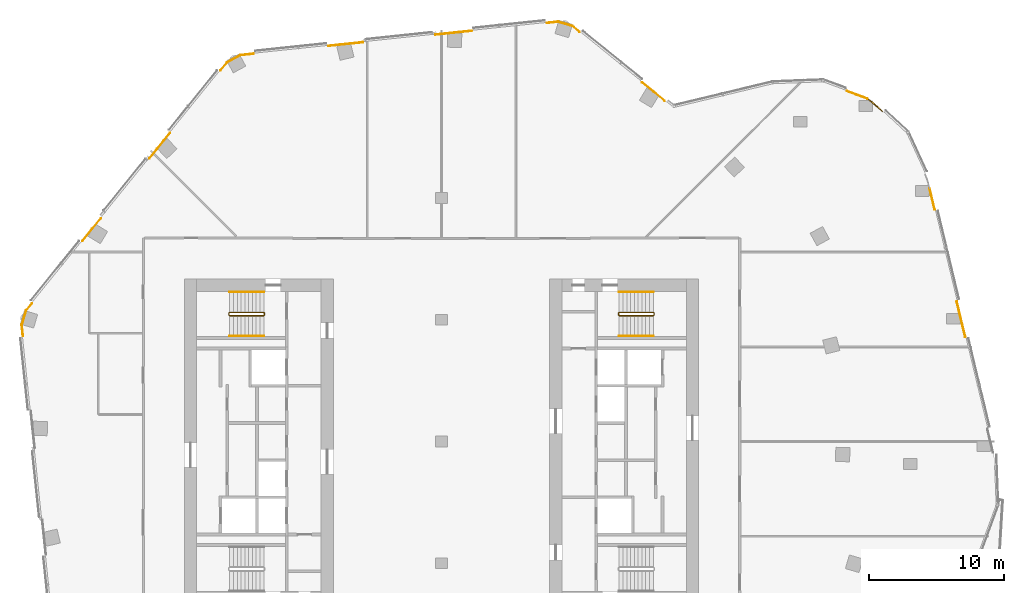
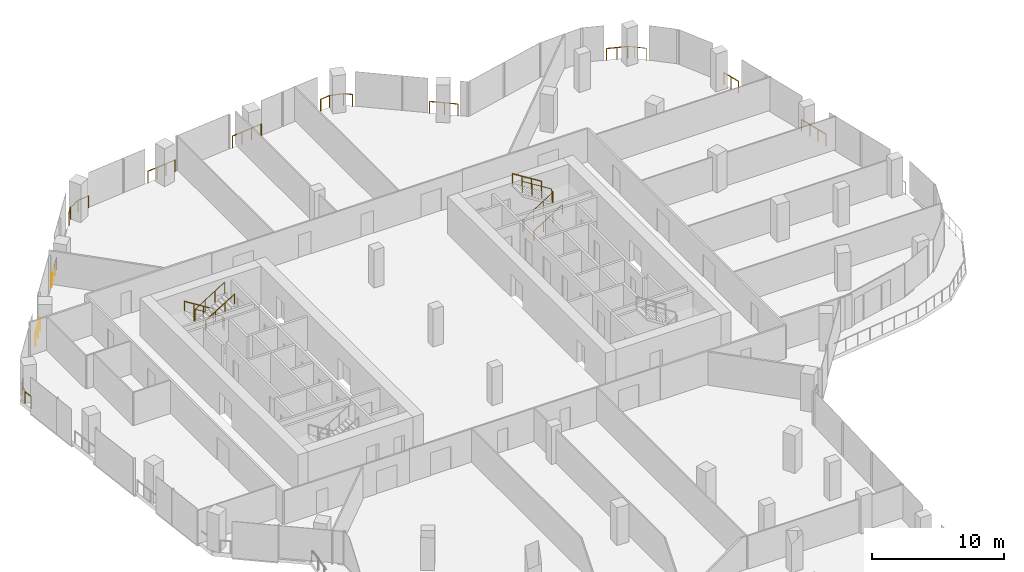
# One storey, part 23 of 24: 21 railings.
"""IFC4 building model written with IfcOpenShell, lengths in metres."""

from ifc_helpers import new_model, si_unit, direction, frame, origin, origin_2d, place, context, subcontext, project, spatial, circle, extrude, material, type_object, element, save


model = new_model("IFC4")

# Units and contexts
model_context = context("Model", 3, precision=1e-05, world=origin(), true_north=direction((0.0, 1.0)))
body_context = subcontext(model_context, "Body", "Model", "MODEL_VIEW")
ifc_project = project(units=[si_unit("LENGTHUNIT", "METRE"), si_unit("AREAUNIT", "SQUARE_METRE"), si_unit("VOLUMEUNIT", "CUBIC_METRE"), si_unit("PLANEANGLEUNIT", "RADIAN"), si_unit("MASSUNIT", "GRAM", prefix="KILO")], contexts=[model_context])

# Site, building, storey
site_placement = place(None, origin())
site = spatial("IfcSite", under=ifc_project, at=site_placement, CompositionType="ELEMENT")
building_placement = place(site_placement, origin())
building = spatial("IfcBuilding", under=site, at=building_placement, Name="Orlundy Tower", CompositionType="ELEMENT")
storey_placement = place(building_placement, frame((0.0, 0.0, 210.5)))
storey = spatial("IfcBuildingStorey", under=building, at=storey_placement, Name="L55", CompositionType="ELEMENT", Elevation=210.5)

# Railings
ifc_material_1 = material(Name="Steel balustrade", Category="steel")
railing_type_1 = type_object("IfcRailingType", Name="Stair Guard 1100", PredefinedType="GUARDRAIL", material=ifc_material_1)
railing_1_placement = place(storey_placement, frame((-13.090087890625, 9.5, 0.0)))
element("IfcRailing", 1, at=railing_1_placement, inside=storey, type_object=railing_type_1, Name="L55 ST-W1 stair guard 1", PredefinedType="GUARDRAIL", context=body_context, shape_type="SweptSolid", body=[
    extrude(circle(Radius=0.02392578125, at=origin_2d()), frame((0.0, 0.0, 1.076171875), z_axis=(0.0, -1.0, 0.0), x_axis=(1.0, 0.0, 0.0)), (0.0, 0.0, 1.0), 0.14990234375),
    extrude(circle(Radius=0.02392578125, at=origin_2d()), frame((0.0, -0.14990234375, 1.076171875), z_axis=(-0.18420542264, 0.739530593833, 0.647427882513), x_axis=(-0.970351222016, -0.241699205484, 0.0)), (0.0, 0.0, 1.0), 0.270263671875),
    extrude(circle(Radius=0.02392578125, at=origin_2d()), frame((-0.0498046875, 0.050048828125, 1.2509765625), z_axis=(-0.848007534815, 0.0, 0.529984170421), x_axis=(0.0, -1.0, 0.0)), (0.0, 0.0, 1.0), 2.9716796875),
    extrude(circle(Radius=0.02392578125, at=origin_2d()), frame((-2.56982421875, 0.050048828125, 2.826171875), z_axis=(-0.707106781187, -0.707106781187, 0.0), x_axis=(0.707106781187, -0.707106781187, 0.0)), (0.0, 0.0, 1.0), 0.07080078125),
    extrude(circle(Radius=0.02392578125, at=origin_2d()), frame((-2.619873046875, 0.0, 2.826171875), z_axis=(0.0, -1.0, 0.0), x_axis=(1.0, 0.0, 0.0)), (0.0, 0.0, 1.0), 0.14990234375),
    extrude(circle(Radius=0.02392578125, at=origin_2d()), frame((-2.619873046875, -0.14990234375, 2.826171875), z_axis=(0.265065253269, -0.265065253269, 0.927081885822), x_axis=(0.707106781187, 0.707106781187, 0.0)), (0.0, 0.0, 1.0), 0.188720703125),
    extrude(circle(Radius=0.02392578125, at=origin_2d()), frame((-2.56982421875, -0.199951171875, 3.0009765625), z_axis=(0.848007534815, 0.0, 0.529984170421), x_axis=(0.0, 1.0, 0.0)), (0.0, 0.0, 1.0), 2.9716796875),
    extrude(circle(Radius=0.02099609375, at=origin_2d()), origin(), (0.0, 0.0, 1.0), 1.052001953125),
    extrude(circle(Radius=0.02099609375, at=origin_2d()), frame((0.0, -0.14990234375, 0.0)), (0.0, 0.0, 1.0), 1.052001953125),
    extrude(circle(Radius=0.02099609375, at=origin_2d()), frame((-0.0498046875, 0.050048828125, 0.175048828125)), (0.0, 0.0, 1.0), 1.052001953125),
    extrude(circle(Radius=0.02099609375, at=origin_2d()), frame((-0.889892578125, 0.050048828125, 0.699951171875)), (0.0, 0.0, 1.0), 1.052001953125),
    extrude(circle(Radius=0.02099609375, at=origin_2d()), frame((-1.729736328125, 0.050048828125, 1.22509765625)), (0.0, 0.0, 1.0), 1.052001953125),
    extrude(circle(Radius=0.02099609375, at=origin_2d()), frame((-2.56982421875, 0.050048828125, 1.75)), (0.0, 0.0, 1.0), 1.052001953125),
    extrude(circle(Radius=0.02099609375, at=origin_2d()), frame((-2.619873046875, 0.0, 1.75)), (0.0, 0.0, 1.0), 1.052001953125),
    extrude(circle(Radius=0.02099609375, at=origin_2d()), frame((-2.619873046875, -0.14990234375, 1.75)), (0.0, 0.0, 1.0), 1.052001953125),
    extrude(circle(Radius=0.02099609375, at=origin_2d()), frame((-2.56982421875, -0.199951171875, 1.925048828125)), (0.0, 0.0, 1.0), 1.052001953125),
    extrude(circle(Radius=0.02099609375, at=origin_2d()), frame((-1.729736328125, -0.199951171875, 2.449951171875)), (0.0, 0.0, 1.0), 1.052001953125),
    extrude(circle(Radius=0.02099609375, at=origin_2d()), frame((-0.889892578125, -0.199951171875, 2.97509765625)), (0.0, 0.0, 1.0), 1.052001953125),
    extrude(circle(Radius=0.02099609375, at=origin_2d()), frame((-0.0498046875, -0.199951171875, 3.5)), (0.0, 0.0, 1.0), 1.052001953125),
])
railing_2_placement = place(storey_placement, frame((13.090087890625, 9.35009765625, 0.0)))
element("IfcRailing", 2, at=railing_2_placement, inside=storey, type_object=railing_type_1, Name="L55 ST-E2 stair guard 1", PredefinedType="GUARDRAIL", context=body_context, shape_type="SweptSolid", body=[
    extrude(circle(Radius=0.02392578125, at=origin_2d()), frame((0.0, 0.0, 1.076171875), z_axis=(0.0, 1.0, 0.0), x_axis=(-1.0, 0.0, 0.0)), (0.0, 0.0, 1.0), 0.14990234375),
    extrude(circle(Radius=0.02392578125, at=origin_2d()), frame((0.0, 0.14990234375, 1.076171875), z_axis=(0.18420542264, -0.739530593833, 0.647427882513), x_axis=(0.970351222016, 0.241699205484, 0.0)), (0.0, 0.0, 1.0), 0.270263671875),
    extrude(circle(Radius=0.02392578125, at=origin_2d()), frame((0.0498046875, -0.050048828125, 1.2509765625), z_axis=(0.848007534815, 0.0, 0.529984170421), x_axis=(0.0, 1.0, 0.0)), (0.0, 0.0, 1.0), 2.9716796875),
    extrude(circle(Radius=0.02392578125, at=origin_2d()), frame((2.56982421875, -0.050048828125, 2.826171875), z_axis=(0.707106781187, 0.707106781187, 0.0), x_axis=(-0.707106781187, 0.707106781187, 0.0)), (0.0, 0.0, 1.0), 0.07080078125),
    extrude(circle(Radius=0.02392578125, at=origin_2d()), frame((2.619873046875, 0.0, 2.826171875), z_axis=(0.0, 1.0, 0.0), x_axis=(-1.0, 0.0, 0.0)), (0.0, 0.0, 1.0), 0.14990234375),
    extrude(circle(Radius=0.02392578125, at=origin_2d()), frame((2.619873046875, 0.14990234375, 2.826171875), z_axis=(-0.265065253269, 0.265065253269, 0.927081885822), x_axis=(-0.707106781187, -0.707106781187, 0.0)), (0.0, 0.0, 1.0), 0.188720703125),
    extrude(circle(Radius=0.02392578125, at=origin_2d()), frame((2.56982421875, 0.199951171875, 3.0009765625), z_axis=(-0.848007534815, 0.0, 0.529984170421), x_axis=(0.0, -1.0, 0.0)), (0.0, 0.0, 1.0), 2.9716796875),
    extrude(circle(Radius=0.02099609375, at=origin_2d()), origin(), (0.0, 0.0, 1.0), 1.052001953125),
    extrude(circle(Radius=0.02099609375, at=origin_2d()), frame((0.0, 0.14990234375, 0.0)), (0.0, 0.0, 1.0), 1.052001953125),
    extrude(circle(Radius=0.02099609375, at=origin_2d()), frame((0.0498046875, -0.050048828125, 0.175048828125)), (0.0, 0.0, 1.0), 1.052001953125),
    extrude(circle(Radius=0.02099609375, at=origin_2d()), frame((0.889892578125, -0.050048828125, 0.699951171875)), (0.0, 0.0, 1.0), 1.052001953125),
    extrude(circle(Radius=0.02099609375, at=origin_2d()), frame((1.729736328125, -0.050048828125, 1.22509765625)), (0.0, 0.0, 1.0), 1.052001953125),
    extrude(circle(Radius=0.02099609375, at=origin_2d()), frame((2.56982421875, -0.050048828125, 1.75)), (0.0, 0.0, 1.0), 1.052001953125),
    extrude(circle(Radius=0.02099609375, at=origin_2d()), frame((2.619873046875, 0.0, 1.75)), (0.0, 0.0, 1.0), 1.052001953125),
    extrude(circle(Radius=0.02099609375, at=origin_2d()), frame((2.619873046875, 0.14990234375, 1.75)), (0.0, 0.0, 1.0), 1.052001953125),
    extrude(circle(Radius=0.02099609375, at=origin_2d()), frame((2.56982421875, 0.199951171875, 1.925048828125)), (0.0, 0.0, 1.0), 1.052001953125),
    extrude(circle(Radius=0.02099609375, at=origin_2d()), frame((1.729736328125, 0.199951171875, 2.449951171875)), (0.0, 0.0, 1.0), 1.052001953125),
    extrude(circle(Radius=0.02099609375, at=origin_2d()), frame((0.889892578125, 0.199951171875, 2.97509765625)), (0.0, 0.0, 1.0), 1.052001953125),
    extrude(circle(Radius=0.02099609375, at=origin_2d()), frame((0.0498046875, 0.199951171875, 3.5)), (0.0, 0.0, 1.0), 1.052001953125),
])
ifc_material_2 = material(Name="Steel handrail", Category="steel")
railing_type_2 = type_object("IfcRailingType", Name="Stair Handrail 900", PredefinedType="HANDRAIL", material=ifc_material_2)
railing_3_placement = place(storey_placement, frame((-13.139892578125, 11.050048828125, 0.175048828125)))
element("IfcRailing", 3, at=railing_3_placement, inside=storey, type_object=railing_type_2, Name="L55 ST-W1 stair handrail 1", PredefinedType="HANDRAIL", context=body_context, shape_type="SweptSolid", body=[
    extrude(circle(Radius=0.02392578125, at=origin_2d()), frame((0.0, 0.0, 0.8759765625), z_axis=(-0.848007534815, 0.0, 0.529984170421), x_axis=(0.0, -1.0, 0.0)), (0.0, 0.0, 1.0), 2.9716796875),
    extrude(circle(Radius=0.02099609375, at=origin_2d()), origin(), (0.0, 0.0, 1.0), 0.851806640625),
    extrude(circle(Radius=0.02099609375, at=origin_2d()), frame((-0.840087890625, 0.0, 0.52490234375)), (0.0, 0.0, 1.0), 0.851806640625),
    extrude(circle(Radius=0.02099609375, at=origin_2d()), frame((-1.679931640625, 0.0, 1.050048828125)), (0.0, 0.0, 1.0), 0.851806640625),
    extrude(circle(Radius=0.02099609375, at=origin_2d()), frame((-2.52001953125, 0.0, 1.574951171875)), (0.0, 0.0, 1.0), 0.851806640625),
])
for number, where, name in (
    (4, (-15.659912109375, 7.800048828125, 1.925048828125), "L55 ST-W1 stair handrail 2"),
    (5, (13.139892578125, 7.800048828125, 0.175048828125), "L55 ST-E2 stair handrail 1"),
):
    element("IfcRailing", number, at=place(storey_placement, frame(where)), inside=storey, type_object=railing_type_2, Name=name, PredefinedType="HANDRAIL", context=body_context, shape_type="SweptSolid", body=[
        extrude(circle(Radius=0.02392578125, at=origin_2d()), frame((0.0, 0.0, 0.8759765625), z_axis=(0.848007534815, 0.0, 0.529984170421), x_axis=(0.0, 1.0, 0.0)), (0.0, 0.0, 1.0), 2.9716796875),
        extrude(circle(Radius=0.02099609375, at=origin_2d()), origin(), (0.0, 0.0, 1.0), 0.851806640625),
        extrude(circle(Radius=0.02099609375, at=origin_2d()), frame((0.840087890625, 0.0, 0.52490234375)), (0.0, 0.0, 1.0), 0.851806640625),
        extrude(circle(Radius=0.02099609375, at=origin_2d()), frame((1.679931640625, 0.0, 1.050048828125)), (0.0, 0.0, 1.0), 0.851806640625),
        extrude(circle(Radius=0.02099609375, at=origin_2d()), frame((2.52001953125, 0.0, 1.574951171875)), (0.0, 0.0, 1.0), 0.851806640625),
    ])
railing_4_placement = place(storey_placement, frame((15.659912109375, 11.050048828125, 1.925048828125)))
element("IfcRailing", 6, at=railing_4_placement, inside=storey, type_object=railing_type_2, Name="L55 ST-E2 stair handrail 2", PredefinedType="HANDRAIL", context=body_context, shape_type="SweptSolid", body=[
    extrude(circle(Radius=0.02392578125, at=origin_2d()), frame((0.0, 0.0, 0.8759765625), z_axis=(-0.848007534815, 0.0, 0.529984170421), x_axis=(0.0, -1.0, 0.0)), (0.0, 0.0, 1.0), 2.9716796875),
    extrude(circle(Radius=0.02099609375, at=origin_2d()), origin(), (0.0, 0.0, 1.0), 0.851806640625),
    extrude(circle(Radius=0.02099609375, at=origin_2d()), frame((-0.840087890625, 0.0, 0.52490234375)), (0.0, 0.0, 1.0), 0.851806640625),
    extrude(circle(Radius=0.02099609375, at=origin_2d()), frame((-1.679931640625, 0.0, 1.050048828125)), (0.0, 0.0, 1.0), 0.851806640625),
    extrude(circle(Radius=0.02099609375, at=origin_2d()), frame((-2.52001953125, 0.0, 1.574951171875)), (0.0, 0.0, 1.0), 0.851806640625),
])
ifc_material_3 = material(Name="Stainless steel bronze finish", Category="steel")
railing_type_3 = type_object("IfcRailingType", Name="TG1 terrace guard", PredefinedType="GUARDRAIL", material=ifc_material_3)
railing_5_placement = place(storey_placement, frame((-21.0322265625, 21.63427734375, 0.0)))
element("IfcRailing", 7, at=railing_5_placement, inside=storey, type_object=railing_type_3, Name="Guard TG-L55-E02", PredefinedType="GUARDRAIL", context=body_context, shape_type="SweptSolid", body=[
    extrude(circle(Radius=0.02490234375, at=origin_2d()), frame((0.0, 0.0, 1.09521484375), z_axis=(0.629258427705, 0.777196134295, 0.0), x_axis=(-0.777196134295, 0.629258427705, 0.0)), (0.0, 0.0, 1.0), 1.5166015625),
    extrude(circle(Radius=0.02001953125, at=origin_2d()), origin(), (0.0, 0.0, 1.0), 1.070068359375),
    extrude(circle(Radius=0.02001953125, at=origin_2d()), frame((0.47705078125, 0.58935546875, 0.0)), (0.0, 0.0, 1.0), 1.070068359375),
    extrude(circle(Radius=0.02001953125, at=origin_2d()), frame((0.954345703125, 1.1787109375, 0.0)), (0.0, 0.0, 1.0), 1.070068359375),
])
railing_6_placement = place(storey_placement, frame((31.482421875, 25.3447265625, 0.0)))
element("IfcRailing", 8, at=railing_6_placement, inside=storey, type_object=railing_type_3, Name="Guard TG-L55-E03", PredefinedType="GUARDRAIL", context=body_context, shape_type="SweptSolid", body=[
    extrude(circle(Radius=0.02490234375, at=origin_2d()), frame((0.0, 0.0, 1.09521484375), z_axis=(0.825082330608, -0.565012519966, 0.0), x_axis=(0.565012519966, 0.825082330608, 0.0)), (0.0, 0.0, 1.0), 0.506103515625),
    extrude(circle(Radius=0.02490234375, at=origin_2d()), frame((0.41748046875, -0.285888671875, 1.09521484375), z_axis=(0.734398122437, -0.678718938708, 0.0), x_axis=(0.678718938708, 0.734398122437, 0.0)), (0.0, 0.0, 1.0), 0.947021484375),
    extrude(circle(Radius=0.02490234375, at=origin_2d()), frame((1.113037109375, -0.9287109375, 1.09521484375), z_axis=(-0.767760257366, 0.640737221651, 0.0), x_axis=(-0.640737221651, -0.767760257366, 0.0)), (0.0, 0.0, 1.0), 1.3896484375),
    extrude(circle(Radius=0.02001953125, at=origin_2d()), origin(), (0.0, 0.0, 1.0), 1.070068359375),
    extrude(circle(Radius=0.02001953125, at=origin_2d()), frame((0.41748046875, -0.285888671875, 0.0)), (0.0, 0.0, 1.0), 1.070068359375),
    extrude(circle(Radius=0.02001953125, at=origin_2d()), frame((1.113037109375, -0.9287109375, 0.0)), (0.0, 0.0, 1.0), 1.070068359375),
    extrude(circle(Radius=0.02001953125, at=origin_2d()), frame((0.57958984375, -0.4833984375, 0.0)), (0.0, 0.0, 1.0), 1.070068359375),
    extrude(circle(Radius=0.02001953125, at=origin_2d()), frame((0.046142578125, -0.038330078125, 0.0)), (0.0, 0.0, 1.0), 1.070068359375),
])
railing_7_placement = place(storey_placement, frame((-16.34521484375, 27.42236328125, 0.0)))
element("IfcRailing", 9, at=railing_7_placement, inside=storey, type_object=railing_type_3, Name="Guard TG-L55-E05", PredefinedType="GUARDRAIL", context=body_context, shape_type="SweptSolid", body=[
    extrude(circle(Radius=0.02490234375, at=origin_2d()), frame((0.0, 0.0, 1.09521484375), z_axis=(0.629502532983, 0.776998430479, 0.0), x_axis=(-0.776998430479, 0.629502532983, 0.0)), (0.0, 0.0, 1.0), 0.78466796875),
    extrude(circle(Radius=0.02490234375, at=origin_2d()), frame((0.493896484375, 0.609619140625, 1.09521484375), z_axis=(0.878734826557, 0.477310281259, 0.0), x_axis=(-0.477310281259, 0.878734826557, 0.0)), (0.0, 0.0, 1.0), 1.10986328125),
    extrude(circle(Radius=0.02490234375, at=origin_2d()), frame((1.46923828125, 1.139404296875, 1.09521484375), z_axis=(0.994525833802, 0.104490984784, 0.0), x_axis=(-0.104490984784, 0.994525833802, 0.0)), (0.0, 0.0, 1.0), 0.983642578125),
    extrude(circle(Radius=0.02001953125, at=origin_2d()), origin(), (0.0, 0.0, 1.0), 1.070068359375),
    extrude(circle(Radius=0.02001953125, at=origin_2d()), frame((0.493896484375, 0.609619140625, 0.0)), (0.0, 0.0, 1.0), 1.070068359375),
    extrude(circle(Radius=0.02001953125, at=origin_2d()), frame((1.46923828125, 1.139404296875, 0.0)), (0.0, 0.0, 1.0), 1.070068359375),
    extrude(circle(Radius=0.02001953125, at=origin_2d()), frame((2.447509765625, 1.2421875, 0.0)), (0.0, 0.0, 1.0), 1.070068359375),
])
railing_8_placement = place(storey_placement, frame((-0.461181640625, 30.076904296875, 0.0)))
element("IfcRailing", 10, at=railing_8_placement, inside=storey, type_object=railing_type_3, Name="Guard TG-L55-E07", PredefinedType="GUARDRAIL", context=body_context, shape_type="SweptSolid", body=[
    extrude(circle(Radius=0.02490234375, at=origin_2d()), frame((0.0, 0.0, 1.09521484375), z_axis=(0.994518265297, 0.10456299532, 0.0), x_axis=(-0.10456299532, 0.994518265297, 0.0)), (0.0, 0.0, 1.0), 2.713134765625),
    extrude(circle(Radius=0.02001953125, at=origin_2d()), origin(), (0.0, 0.0, 1.0), 1.070068359375),
    extrude(circle(Radius=0.02001953125, at=origin_2d()), frame((0.8994140625, 0.094482421875, 0.0)), (0.0, 0.0, 1.0), 1.070068359375),
    extrude(circle(Radius=0.02001953125, at=origin_2d()), frame((1.798828125, 0.189208984375, 0.0)), (0.0, 0.0, 1.0), 1.070068359375),
    extrude(circle(Radius=0.02001953125, at=origin_2d()), frame((2.6982421875, 0.28369140625, 0.0)), (0.0, 0.0, 1.0), 1.070068359375),
])
railing_9_placement = place(storey_placement, frame((38.09765625, 10.344482421875, 0.0)))
element("IfcRailing", 11, at=railing_9_placement, inside=storey, type_object=railing_type_3, Name="Guard TG-L55-E09", PredefinedType="GUARDRAIL", context=body_context, shape_type="SweptSolid", body=[
    extrude(circle(Radius=0.02490234375, at=origin_2d()), frame((0.0, 0.0, 1.09521484375), z_axis=(0.233472244677, -0.97236346649, 0.0), x_axis=(0.97236346649, 0.233472244677, 0.0)), (0.0, 0.0, 1.0), 2.69677734375),
    extrude(circle(Radius=0.02001953125, at=origin_2d()), origin(), (0.0, 0.0, 1.0), 1.070068359375),
    extrude(circle(Radius=0.02001953125, at=origin_2d()), frame((0.2099609375, -0.8740234375, 0.0)), (0.0, 0.0, 1.0), 1.070068359375),
    extrude(circle(Radius=0.02001953125, at=origin_2d()), frame((0.419677734375, -1.748291015625, 0.0)), (0.0, 0.0, 1.0), 1.070068359375),
    extrude(circle(Radius=0.02001953125, at=origin_2d()), frame((0.629638671875, -2.622314453125, 0.0)), (0.0, 0.0, 1.0), 1.070068359375),
])
railing_10_placement = place(storey_placement, frame((7.79443359375, 30.944580078125, 0.0)))
element("IfcRailing", 12, at=railing_10_placement, inside=storey, type_object=railing_type_3, Name="Guard TG-L55-E013", PredefinedType="GUARDRAIL", context=body_context, shape_type="SweptSolid", body=[
    extrude(circle(Radius=0.02490234375, at=origin_2d()), frame((0.0, 0.0, 1.09521484375), z_axis=(0.994500574767, 0.104731116615, 0.0), x_axis=(-0.104731116615, 0.994500574767, 0.0)), (0.0, 0.0, 1.0), 0.822998046875),
    extrude(circle(Radius=0.02490234375, at=origin_2d()), frame((0.818359375, 0.086181640625, 1.09521484375), z_axis=(0.958711535084, -0.284380365878, 0.0), x_axis=(0.284380365878, 0.958711535084, 0.0)), (0.0, 0.0, 1.0), 1.110107421875),
    extrude(circle(Radius=0.02490234375, at=origin_2d()), frame((1.882568359375, -0.2294921875, 1.09521484375), z_axis=(0.776978099669, -0.629527626586, 0.0), x_axis=(0.629527626586, 0.776978099669, 0.0)), (0.0, 0.0, 1.0), 0.68212890625),
    extrude(circle(Radius=0.02001953125, at=origin_2d()), origin(), (0.0, 0.0, 1.0), 1.070068359375),
    extrude(circle(Radius=0.02001953125, at=origin_2d()), frame((0.818359375, 0.086181640625, 0.0)), (0.0, 0.0, 1.0), 1.070068359375),
    extrude(circle(Radius=0.02001953125, at=origin_2d()), frame((1.882568359375, -0.2294921875, 0.0)), (0.0, 0.0, 1.0), 1.070068359375),
    extrude(circle(Radius=0.02001953125, at=origin_2d()), frame((2.41259765625, -0.658935546875, 0.0)), (0.0, 0.0, 1.0), 1.070068359375),
])
railing_11_placement = place(storey_placement, frame((-30.944580078125, 7.79443359375, 0.0)))
element("IfcRailing", 13, at=railing_11_placement, inside=storey, type_object=railing_type_3, Name="Guard TG-L55-E014", PredefinedType="GUARDRAIL", context=body_context, shape_type="SweptSolid", body=[
    extrude(circle(Radius=0.02490234375, at=origin_2d()), frame((0.0, 0.0, 1.09521484375), z_axis=(-0.104731116615, 0.994500574767, 0.0), x_axis=(-0.994500574767, -0.104731116615, 0.0)), (0.0, 0.0, 1.0), 0.822998046875),
    extrude(circle(Radius=0.02490234375, at=origin_2d()), frame((-0.086181640625, 0.818359375, 1.09521484375), z_axis=(0.284380365878, 0.958711535084, 0.0), x_axis=(-0.958711535084, 0.284380365878, 0.0)), (0.0, 0.0, 1.0), 1.110107421875),
    extrude(circle(Radius=0.02490234375, at=origin_2d()), frame((0.2294921875, 1.882568359375, 1.09521484375), z_axis=(0.629311497467, 0.777153163254, 0.0), x_axis=(-0.777153163254, 0.629311497467, 0.0)), (0.0, 0.0, 1.0), 0.68212890625),
    extrude(circle(Radius=0.02001953125, at=origin_2d()), origin(), (0.0, 0.0, 1.0), 1.070068359375),
    extrude(circle(Radius=0.02001953125, at=origin_2d()), frame((-0.086181640625, 0.818359375, 0.0)), (0.0, 0.0, 1.0), 1.070068359375),
    extrude(circle(Radius=0.02001953125, at=origin_2d()), frame((0.2294921875, 1.882568359375, 0.0)), (0.0, 0.0, 1.0), 1.070068359375),
    extrude(circle(Radius=0.02001953125, at=origin_2d()), frame((0.65869140625, 2.41259765625, 0.0)), (0.0, 0.0, 1.0), 1.070068359375),
])
railing_12_placement = place(storey_placement, frame((-8.34033203125, 29.248779296875, 0.0)))
element("IfcRailing", 14, at=railing_12_placement, inside=storey, type_object=railing_type_3, Name="Guard TG-L55-E016", PredefinedType="GUARDRAIL", context=body_context, shape_type="SweptSolid", body=[
    extrude(circle(Radius=0.02490234375, at=origin_2d()), frame((0.0, 0.0, 1.09521484375), z_axis=(0.99452849311, 0.104465670881, 0.0), x_axis=(-0.104465670881, 0.99452849311, 0.0)), (0.0, 0.0, 1.0), 2.552001953125),
    extrude(circle(Radius=0.02001953125, at=origin_2d()), origin(), (0.0, 0.0, 1.0), 1.070068359375),
    extrude(circle(Radius=0.02001953125, at=origin_2d()), frame((0.845947265625, 0.0888671875, 0.0)), (0.0, 0.0, 1.0), 1.070068359375),
    extrude(circle(Radius=0.02001953125, at=origin_2d()), frame((1.692138671875, 0.177734375, 0.0)), (0.0, 0.0, 1.0), 1.070068359375),
    extrude(circle(Radius=0.02001953125, at=origin_2d()), frame((2.5380859375, 0.2666015625, 0.0)), (0.0, 0.0, 1.0), 1.070068359375),
])
railing_13_placement = place(storey_placement, frame((15.696533203125, 25.840087890625, 0.0)))
element("IfcRailing", 15, at=railing_13_placement, inside=storey, type_object=railing_type_3, Name="Guard TG-L55-E018", PredefinedType="GUARDRAIL", context=body_context, shape_type="SweptSolid", body=[
    extrude(circle(Radius=0.02490234375, at=origin_2d()), frame((0.0, 0.0, 1.09521484375), z_axis=(0.777228430987, -0.629218536016, 0.0), x_axis=(0.629218536016, 0.777228430987, 0.0)), (0.0, 0.0, 1.0), 1.03759765625),
    extrude(circle(Radius=0.02001953125, at=origin_2d()), origin(), (0.0, 0.0, 1.0), 1.070068359375),
    extrude(circle(Radius=0.02001953125, at=origin_2d()), frame((0.806396484375, -0.65283203125, 0.0)), (0.0, 0.0, 1.0), 1.070068359375),
])
railing_14_placement = place(storey_placement, frame((-25.83935546875, 15.697998046875, 0.0)))
element("IfcRailing", 16, at=railing_14_placement, inside=storey, type_object=railing_type_3, Name="Guard TG-L55-E019", PredefinedType="GUARDRAIL", context=body_context, shape_type="SweptSolid", body=[
    extrude(circle(Radius=0.02490234375, at=origin_2d()), frame((0.0, 0.0, 1.09521484375), z_axis=(0.629340611629, 0.777129586719, 0.0), x_axis=(-0.777129586719, 0.629340611629, 0.0)), (0.0, 0.0, 1.0), 1.035888671875),
    extrude(circle(Radius=0.02001953125, at=origin_2d()), origin(), (0.0, 0.0, 1.0), 1.070068359375),
    extrude(circle(Radius=0.02001953125, at=origin_2d()), frame((0.65185546875, 0.804931640625, 0.0)), (0.0, 0.0, 1.0), 1.070068359375),
])
railing_15_placement = place(storey_placement, frame((29.966064453125, 25.904052734375, 0.0)))
element("IfcRailing", 17, at=railing_15_placement, inside=storey, type_object=railing_type_3, Name="Guard TG-L55-E022", PredefinedType="GUARDRAIL", context=body_context, shape_type="SweptSolid", body=[
    extrude(circle(Radius=0.02490234375, at=origin_2d()), frame((0.0, 0.0, 1.09521484375), z_axis=(0.938208937942, -0.34606934098, 0.0), x_axis=(0.34606934098, 0.938208937942, 0.0)), (0.0, 0.0, 1.0), 1.6162109375),
    extrude(circle(Radius=0.02001953125, at=origin_2d()), origin(), (0.0, 0.0, 1.0), 1.070068359375),
    extrude(circle(Radius=0.02001953125, at=origin_2d()), frame((0.75830078125, -0.27978515625, 0.0)), (0.0, 0.0, 1.0), 1.070068359375),
    extrude(circle(Radius=0.02001953125, at=origin_2d()), frame((1.516357421875, -0.559326171875, 0.0)), (0.0, 0.0, 1.0), 1.070068359375),
])
railing_16_placement = place(storey_placement, frame((36.091064453125, 18.70166015625, 0.0)))
element("IfcRailing", 18, at=railing_16_placement, inside=storey, type_object=railing_type_3, Name="Guard TG-L55-E023", PredefinedType="GUARDRAIL", context=body_context, shape_type="SweptSolid", body=[
    extrude(circle(Radius=0.02490234375, at=origin_2d()), frame((0.0, 0.0, 1.09521484375), z_axis=(0.233465050457, -0.972365193852, 0.0), x_axis=(0.972365193852, 0.233465050457, 0.0)), (0.0, 0.0, 1.0), 1.604248046875),
    extrude(circle(Radius=0.02001953125, at=origin_2d()), origin(), (0.0, 0.0, 1.0), 1.070068359375),
    extrude(circle(Radius=0.02001953125, at=origin_2d()), frame((0.187255859375, -0.77978515625, 0.0)), (0.0, 0.0, 1.0), 1.070068359375),
    extrude(circle(Radius=0.02001953125, at=origin_2d()), frame((0.37451171875, -1.559814453125, 0.0)), (0.0, 0.0, 1.0), 1.070068359375),
])
railing_17_placement = place(storey_placement, frame((-26.551025390625, 14.819091796875, 0.0)))
element("IfcRailing", 19, at=railing_17_placement, inside=storey, type_object=railing_type_3, Name="Guard TG-L55-E025", PredefinedType="GUARDRAIL", context=body_context, shape_type="SweptSolid", body=[
    extrude(circle(Radius=0.02490234375, at=origin_2d()), frame((0.0, 0.0, 1.09521484375), z_axis=(0.629291378022, 0.777169454847, 0.0), x_axis=(-0.777169454847, 0.629291378022, 0.0)), (0.0, 0.0, 1.0), 1.130859375),
    extrude(circle(Radius=0.02001953125, at=origin_2d()), origin(), (0.0, 0.0, 1.0), 1.070068359375),
    extrude(circle(Radius=0.02001953125, at=origin_2d()), frame((0.711669921875, 0.87890625, 0.0)), (0.0, 0.0, 1.0), 1.070068359375),
])
railing_18_placement = place(storey_placement, frame((14.81884765625, 26.551025390625, 0.0)))
element("IfcRailing", 20, at=railing_18_placement, inside=storey, type_object=railing_type_3, Name="Guard TG-L55-E026", PredefinedType="GUARDRAIL", context=body_context, shape_type="SweptSolid", body=[
    extrude(circle(Radius=0.02490234375, at=origin_2d()), frame((0.0, 0.0, 1.09521484375), z_axis=(0.7770585925, -0.629428267416, 0.0), x_axis=(0.629428267416, 0.7770585925, 0.0)), (0.0, 0.0, 1.0), 1.12939453125),
    extrude(circle(Radius=0.02001953125, at=origin_2d()), origin(), (0.0, 0.0, 1.0), 1.070068359375),
    extrude(circle(Radius=0.02001953125, at=origin_2d()), frame((0.877685546875, -0.7109375, 0.0)), (0.0, 0.0, 1.0), 1.070068359375),
])
railing_19_placement = place(storey_placement, frame((-21.593505859375, 20.94140625, 0.0)))
element("IfcRailing", 21, at=railing_19_placement, inside=storey, type_object=railing_type_3, Name="Guard TG-L55-E027", PredefinedType="GUARDRAIL", context=body_context, shape_type="SweptSolid", body=[
    extrude(circle(Radius=0.02490234375, at=origin_2d()), frame((0.0, 0.0, 1.09521484375), z_axis=(0.629458112612, 0.777034416526, 0.0), x_axis=(-0.777034416526, 0.629458112612, 0.0)), (0.0, 0.0, 1.0), 0.8916015625),
    extrude(circle(Radius=0.02001953125, at=origin_2d()), origin(), (0.0, 0.0, 1.0), 1.070068359375),
    extrude(circle(Radius=0.02001953125, at=origin_2d()), frame((0.561279296875, 0.69287109375, 0.0)), (0.0, 0.0, 1.0), 1.070068359375),
])

save(model, "model.ifc")
